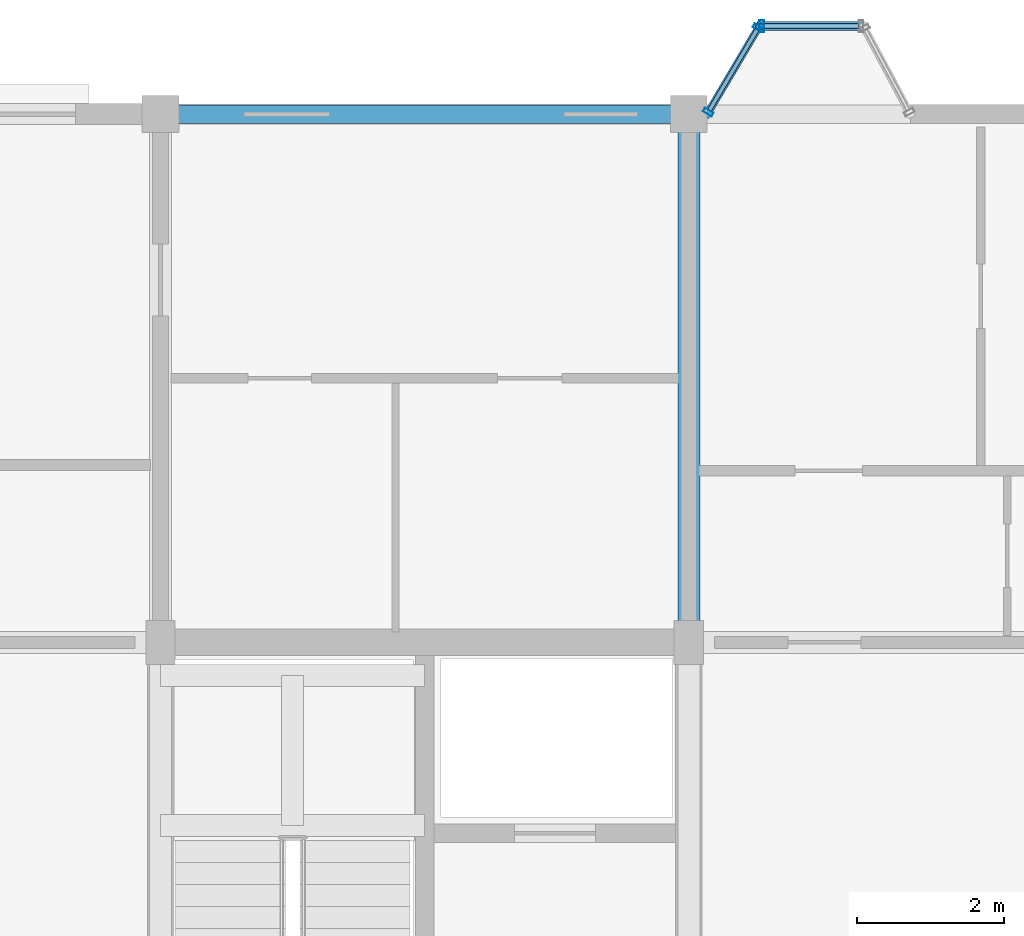
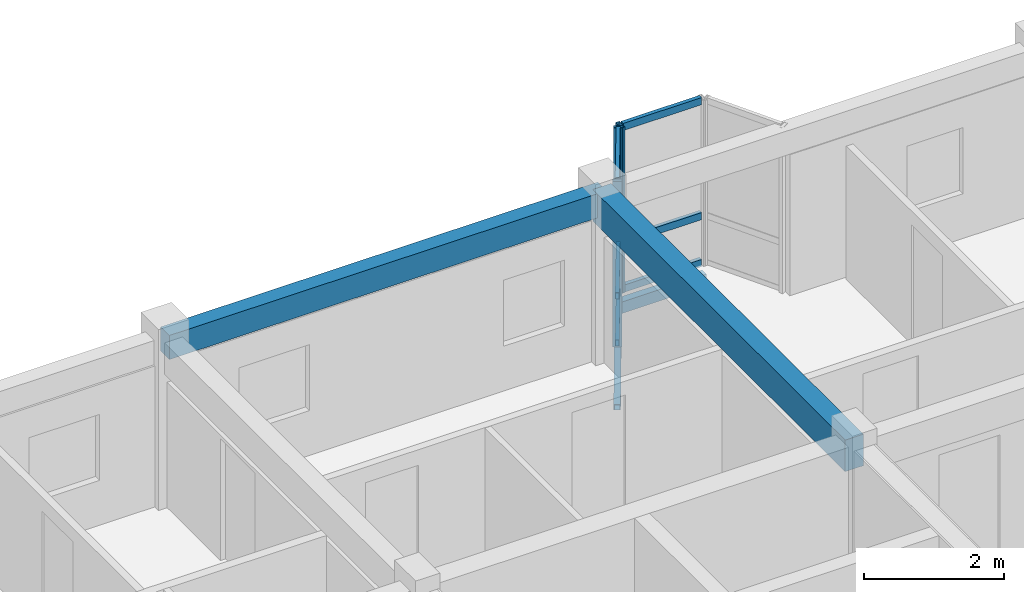
# One storey, part 38 of 65: 11 members, 2 beams, 2 elements without a shape of their own.
"""IFC4 building model written with IfcOpenShell, lengths in metres."""

from ifc_helpers import new_model, si_unit, direction, frame, origin, origin_2d, place, context, subcontext, project, spatial, rectangle, hollow_rectangle, extrude, material, layer, layer_set, material_profile, profile_set, type_object, element, aggregate, save


model = new_model("IFC4")

# Units and contexts
model_context = context("Model", 3, precision=1e-05, world=origin(), true_north=direction((0.0, 1.0)))
body_context = subcontext(model_context, "Body", "Model", "MODEL_VIEW")
ifc_project = project(units=[si_unit("LENGTHUNIT", "METRE"), si_unit("AREAUNIT", "SQUARE_METRE"), si_unit("VOLUMEUNIT", "CUBIC_METRE"), si_unit("PLANEANGLEUNIT", "RADIAN"), si_unit("MASSUNIT", "GRAM", prefix="KILO"), si_unit("THERMODYNAMICTEMPERATUREUNIT", "KELVIN"), si_unit("POWERUNIT", "WATT")], contexts=[model_context])

# Site, building, storey
site_placement = place(None, origin())
site = spatial("IfcSite", under=ifc_project, at=site_placement, CompositionType="ELEMENT")
building_placement = place(site_placement, origin())
building = spatial("IfcBuilding", under=site, at=building_placement, Name="Tavuni Mirador Residences", CompositionType="ELEMENT")
storey_placement = place(building_placement, frame((0.0, 0.0, 29.699951171875)))
storey = spatial("IfcBuildingStorey", under=building, at=storey_placement, Name="L09", CompositionType="ELEMENT", Elevation=29.699951171875)

# Beams
ifc_material_1 = material(Name="Precast concrete C40/50", Category="concrete")
ifc_material_profile_1 = material_profile(ifc_material_1, rectangle(XDim=0.300048828125, YDim=0.550048828125, at=origin_2d()), Name="PC 300x550", Category="concrete")
ifc_profile_set_1 = profile_set([ifc_material_profile_1], Name="Precast concrete C40/50")
beam_type_1 = type_object("IfcBeamType", Name="BT-B550", PredefinedType="BEAM", material=ifc_profile_set_1)
beam_1_placement = place(storey_placement, frame((32.39990234375, 165.60009765625, 2.610107421875), z_axis=(0.0, 1.0, 0.0), x_axis=(-1.0, 0.0, 0.0)))
element("IfcBeam", 1, at=beam_1_placement, inside=storey, type_object=beam_type_1, Name="BMY-BLK-C-L09-03-03", PredefinedType="BEAM", context=body_context, shape_type="SweptSolid", body=[
    extrude(rectangle(XDim=0.300048828125, YDim=0.550048828125, at=origin_2d()), origin(), (0.0, 0.0, 1.0), 7.199951171875),
])
ifc_material_profile_2 = material_profile(ifc_material_1, rectangle(XDim=0.25, YDim=0.419921875, at=origin_2d()), Name="PC 250x420", Category="concrete")
ifc_profile_set_2 = profile_set([ifc_material_profile_2], Name="Precast concrete C40/50")
beam_type_2 = type_object("IfcBeamType", Name="BT-SP420", PredefinedType="SPANDREL", material=ifc_profile_set_2)
beam_2_placement = place(storey_placement, frame((25.199951171875, 172.800048828125, 2.675048828125), z_axis=(1.0, 0.0, 0.0), x_axis=(0.0, 1.0, 0.0)))
element("IfcBeam", 2, at=beam_2_placement, inside=storey, type_object=beam_type_2, Name="BMX-BLK-C-L09-02-04", PredefinedType="SPANDREL", context=body_context, shape_type="SweptSolid", body=[
    extrude(rectangle(XDim=0.25, YDim=0.419921875, at=origin_2d()), origin(), (0.0, 0.0, 1.0), 7.199951171875),
])

# Curtain wall, members
ifc_material_2 = material(Name="Anodised aluminium", Category="aluminium")
ifc_layer_1 = layer(ifc_material_2, 0.1650390625, Name="Anodised aluminium", Category="aluminium")
ifc_layer_set_1 = layer_set([ifc_layer_1], Name="Anodised aluminium")
curtain_wall_type_1 = type_object("IfcCurtainWallType", Name="CWT-MIR-A", PredefinedType="NOTDEFINED", material=ifc_layer_set_1)
curtain_wall_1_placement = place(storey_placement, origin())
curtain_wall_1 = element("IfcCurtainWall", 3, at=curtain_wall_1_placement, inside=storey, type_object=curtain_wall_type_1, Name="CW-MIR-C-N2-L09-M2", PredefinedType="NOTDEFINED")
ifc_material_profile_3 = material_profile(ifc_material_2, hollow_rectangle(XDim=0.06005859375, YDim=0.139892578125, WallThickness=0.00390625, at=origin_2d()), Name="ALU 60x140x4.0", Category="aluminium")
ifc_profile_set_3 = profile_set([ifc_material_profile_3], Name="Anodised aluminium")
member_type_1 = type_object("IfcMemberType", Name="CWM-140", PredefinedType="MULLION", material=ifc_profile_set_3)
member_1_placement = place(storey_placement, frame((33.3447265625, 173.97412109375, 0.0), z_axis=(0.0, 0.0, 1.0), x_axis=(-0.509212491254, -0.860640830284, 0.0)))
member_1 = element("IfcMember", 4, at=member_1_placement, type_object=member_type_1, Name="CW-01 mullion 1", PredefinedType="MULLION", context=body_context, shape_type="SweptSolid", body=[
    extrude(hollow_rectangle(XDim=0.06005859375, YDim=0.139892578125, WallThickness=0.00390625, at=origin_2d()), origin(), (0.0, 0.0, 1.0), 2.885009765625),
])
member_2_placement = place(storey_placement, frame((32.665283203125, 172.825927734375, 0.0), z_axis=(0.0, 0.0, 1.0), x_axis=(-0.509212491254, -0.860640830284, 0.0)))
member_2 = element("IfcMember", 5, at=member_2_placement, type_object=member_type_1, Name="CW-01 mullion 2", PredefinedType="MULLION", context=body_context, shape_type="SweptSolid", body=[
    extrude(hollow_rectangle(XDim=0.06005859375, YDim=0.139892578125, WallThickness=0.00390625, at=origin_2d()), origin(), (0.0, 0.0, 1.0), 2.885009765625),
])

# Curtain wall, member
ifc_layer_2 = layer(ifc_material_2, 0.159912109375, Name="Anodised aluminium", Category="aluminium")
ifc_layer_set_2 = layer_set([ifc_layer_2], Name="Anodised aluminium")
curtain_wall_type_2 = type_object("IfcCurtainWallType", Name="CWT-MIR-D", PredefinedType="NOTDEFINED", material=ifc_layer_set_2)
curtain_wall_2_placement = place(storey_placement, origin())
curtain_wall_2 = element("IfcCurtainWall", 6, at=curtain_wall_2_placement, inside=storey, type_object=curtain_wall_type_2, Name="CW-MIR-C-N2-L09-MF", PredefinedType="NOTDEFINED")
ifc_material_profile_4 = material_profile(ifc_material_2, hollow_rectangle(XDim=0.06494140625, YDim=0.1650390625, WallThickness=0.00439453125, at=origin_2d()), Name="ALU 65x165x4.5", Category="aluminium")
ifc_profile_set_4 = profile_set([ifc_material_profile_4], Name="Anodised aluminium")
member_type_2 = type_object("IfcMemberType", Name="CWM-165", PredefinedType="MULLION", material=ifc_profile_set_4)
member_3_placement = place(storey_placement, frame((33.392578125, 174.0, 0.0), z_axis=(0.0, 0.0, 1.0), x_axis=(-1.0, 0.0, 0.0)))
member_3 = element("IfcMember", 7, at=member_3_placement, type_object=member_type_2, Name="CW-04 mullion 2", PredefinedType="MULLION", context=body_context, shape_type="SweptSolid", body=[
    extrude(hollow_rectangle(XDim=0.06494140625, YDim=0.1650390625, WallThickness=0.00439453125, at=origin_2d()), origin(), (0.0, 0.0, 1.0), 2.885009765625),
])

# Member
ifc_material_profile_5 = material_profile(ifc_material_2, hollow_rectangle(XDim=0.06005859375, YDim=0.110107421875, WallThickness=0.00390625, at=origin_2d()), Name="ALU 60x110x4.0", Category="aluminium")
ifc_profile_set_5 = profile_set([ifc_material_profile_5], Name="Anodised aluminium")
member_type_3 = type_object("IfcMemberType", Name="CWT-110", PredefinedType="USERDEFINED", material=ifc_profile_set_5)
member_4_placement = place(storey_placement, frame((33.329345703125, 173.9482421875, 0.030029296875), z_axis=(-0.509103678098, -0.860705202114, 0.0), x_axis=(0.860705202114, -0.509103678098, 0.0)))
member_4 = element("IfcMember", 8, at=member_4_placement, type_object=member_type_3, Name="CW-01 transom 1.1", ObjectType="TRANSOM", PredefinedType="USERDEFINED", context=body_context, shape_type="SweptSolid", body=[
    extrude(hollow_rectangle(XDim=0.06005859375, YDim=0.110107421875, WallThickness=0.00390625, at=origin_2d()), origin(), (0.0, 0.0, 1.0), 1.274169921875),
])

member_5_placement = place(storey_placement, frame((33.329345703125, 173.9482421875, 0.85009765625), z_axis=(-0.509103678098, -0.860705202114, 0.0), x_axis=(0.860705202114, -0.509103678098, 0.0)))
member_5 = element("IfcMember", 9, at=member_5_placement, type_object=member_type_3, Name="CW-01 transom 1.2", ObjectType="TRANSOM", PredefinedType="USERDEFINED", context=body_context, shape_type="SweptSolid", body=[
    extrude(hollow_rectangle(XDim=0.06005859375, YDim=0.110107421875, WallThickness=0.00390625, at=origin_2d()), origin(), (0.0, 0.0, 1.0), 1.274169921875),
])

member_6_placement = place(storey_placement, frame((33.329345703125, 173.9482421875, 2.85498046875), z_axis=(-0.509103678098, -0.860705202114, 0.0), x_axis=(0.860705202114, -0.509103678098, 0.0)))
member_6 = element("IfcMember", 10, at=member_6_placement, type_object=member_type_3, Name="CW-01 transom 1.3", ObjectType="TRANSOM", PredefinedType="USERDEFINED", context=body_context, shape_type="SweptSolid", body=[
    extrude(hollow_rectangle(XDim=0.06005859375, YDim=0.110107421875, WallThickness=0.00390625, at=origin_2d()), origin(), (0.0, 0.0, 1.0), 1.274169921875),
])

aggregate(curtain_wall_1, [member_1, member_2, member_4, member_5, member_6])

ifc_material_profile_6 = material_profile(ifc_material_2, hollow_rectangle(XDim=0.06494140625, YDim=0.125, WallThickness=0.00439453125, at=origin_2d()), Name="ALU 65x125x4.5", Category="aluminium")
ifc_profile_set_6 = profile_set([ifc_material_profile_6], Name="Anodised aluminium")
member_type_4 = type_object("IfcMemberType", Name="CWT-125", PredefinedType="USERDEFINED", material=ifc_profile_set_6)
member_7_placement = place(storey_placement, frame((34.715087890625, 174.0, 0.032470703125), z_axis=(-1.0, 0.0, 0.0), x_axis=(0.0, -1.0, 0.0)))
member_7 = element("IfcMember", 11, at=member_7_placement, type_object=member_type_4, Name="CW-04 transom 1.1", ObjectType="TRANSOM", PredefinedType="USERDEFINED", context=body_context, shape_type="SweptSolid", body=[
    extrude(hollow_rectangle(XDim=0.06494140625, YDim=0.125, WallThickness=0.00439453125, at=origin_2d()), origin(), (0.0, 0.0, 1.0), 1.2900390625),
])

member_8_placement = place(storey_placement, frame((34.715087890625, 174.0, 0.85009765625), z_axis=(-1.0, 0.0, 0.0), x_axis=(0.0, -1.0, 0.0)))
member_8 = element("IfcMember", 12, at=member_8_placement, type_object=member_type_4, Name="CW-04 transom 1.2", ObjectType="TRANSOM", PredefinedType="USERDEFINED", context=body_context, shape_type="SweptSolid", body=[
    extrude(hollow_rectangle(XDim=0.06494140625, YDim=0.125, WallThickness=0.00439453125, at=origin_2d()), origin(), (0.0, 0.0, 1.0), 1.2900390625),
])

member_9_placement = place(storey_placement, frame((34.715087890625, 174.0, 2.8525390625), z_axis=(-1.0, 0.0, 0.0), x_axis=(0.0, -1.0, 0.0)))
member_9 = element("IfcMember", 13, at=member_9_placement, type_object=member_type_4, Name="CW-04 transom 1.3", ObjectType="TRANSOM", PredefinedType="USERDEFINED", context=body_context, shape_type="SweptSolid", body=[
    extrude(hollow_rectangle(XDim=0.06494140625, YDim=0.125, WallThickness=0.00439453125, at=origin_2d()), origin(), (0.0, 0.0, 1.0), 1.2900390625),
])

aggregate(curtain_wall_2, [member_3, member_7, member_8, member_9])

# Members
ifc_material_3 = material(Name="Structural steel S355", Category="steel")
ifc_material_profile_7 = material_profile(ifc_material_3, hollow_rectangle(XDim=0.10009765625, YDim=0.179931640625, WallThickness=0.008056640625, at=origin_2d()), Name="RHS 180x100x8.0", Category="steel")
ifc_profile_set_7 = profile_set([ifc_material_profile_7], Name="Structural steel S355")
member_type_5 = type_object("IfcMemberType", Name="MT-BR-RHS180", PredefinedType="BRACE", material=ifc_profile_set_7)
member_10_placement = place(storey_placement, frame((32.64990234375, 172.800048828125, -1.050048828125), z_axis=(0.443813651759, 0.749860466962, 0.490651324873), x_axis=(-0.860567285497, 0.509336771823, 0.0)))
element("IfcMember", 14, at=member_10_placement, inside=storey, type_object=member_type_5, Name="MBRK-MIR-C-N2-L09-1", PredefinedType="BRACE", context=body_context, shape_type="SweptSolid", body=[
    extrude(hollow_rectangle(XDim=0.10009765625, YDim=0.179931640625, WallThickness=0.008056640625, at=origin_2d()), origin(), (0.0, 0.0, 1.0), 1.600341796875),
])
ifc_material_profile_8 = material_profile(ifc_material_3, hollow_rectangle(XDim=0.1201171875, YDim=0.199951171875, WallThickness=0.010009765625, at=origin_2d()), Name="RHS 200x120x10.0", Category="steel")
ifc_profile_set_8 = profile_set([ifc_material_profile_8], Name="Structural steel S355")
member_type_6 = type_object("IfcMemberType", Name="MT-ST-RHS200", PredefinedType="STRUT", material=ifc_profile_set_8)
member_11_placement = place(storey_placement, frame((33.360107421875, 174.0, -0.264892578125), z_axis=(1.0, 0.0, 0.0), x_axis=(0.0, 1.0, 0.0)))
element("IfcMember", 15, at=member_11_placement, inside=storey, type_object=member_type_6, Name="MRIM-MIR-C-N2-L09", PredefinedType="STRUT", context=body_context, shape_type="SweptSolid", body=[
    extrude(hollow_rectangle(XDim=0.1201171875, YDim=0.199951171875, WallThickness=0.010009765625, at=origin_2d()), origin(), (0.0, 0.0, 1.0), 1.419921875),
])

save(model, "model.ifc")
